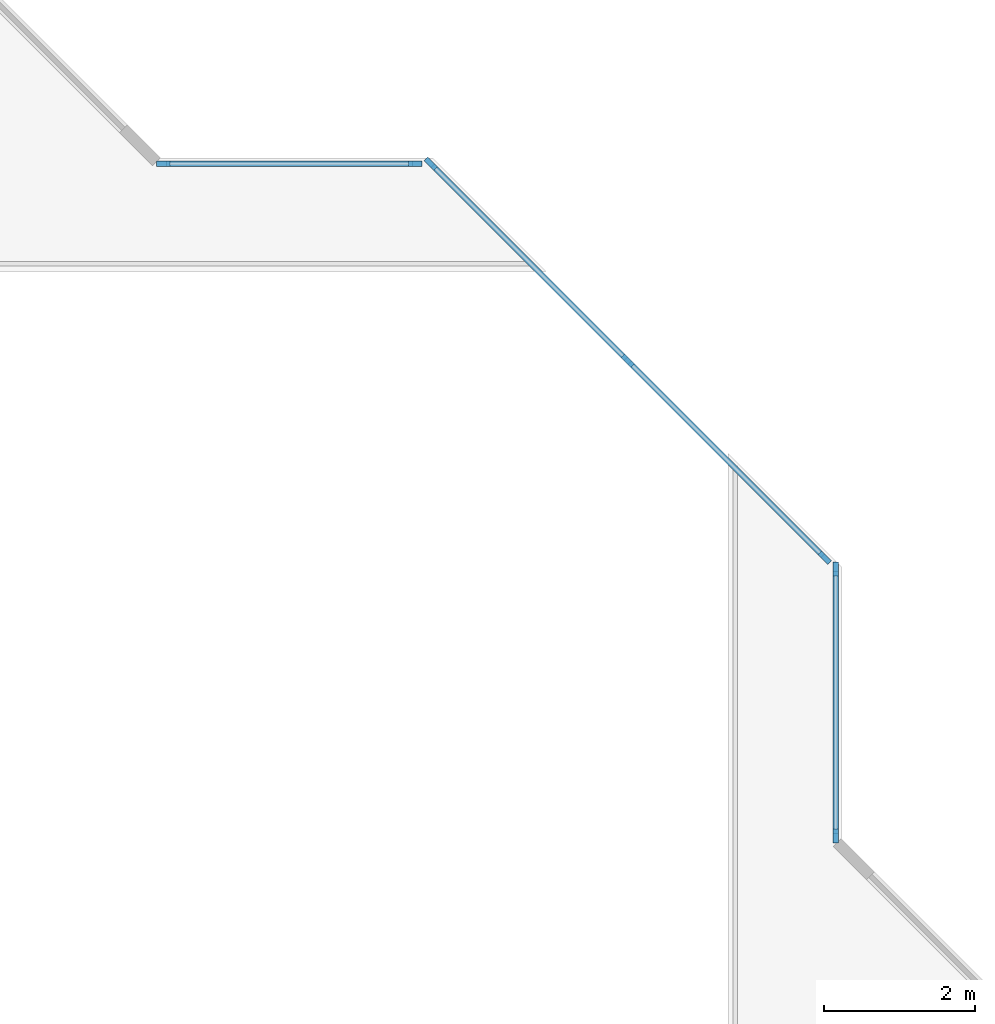
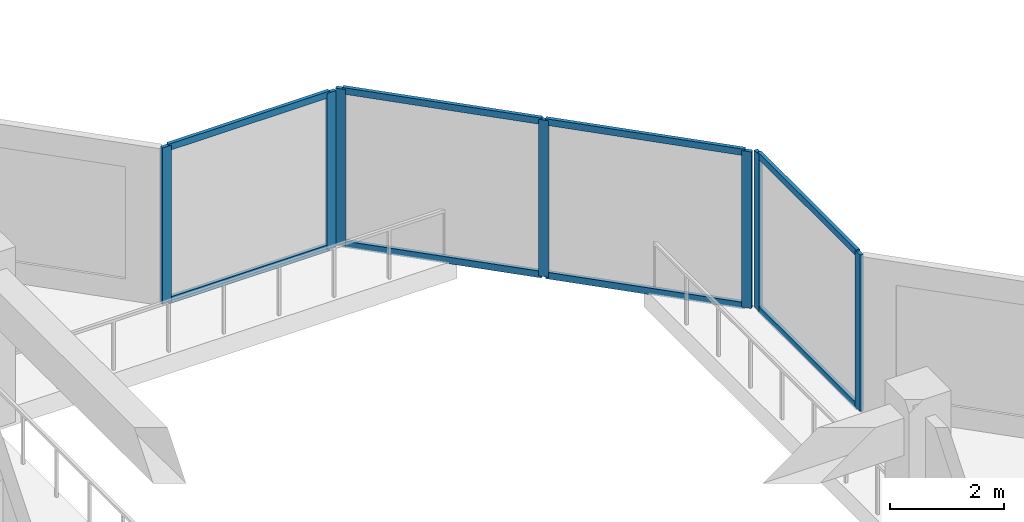
# One storey, part 2 of 15: 15 members, 3 elements without a shape of their own.
"""IFC4 building model written with IfcOpenShell, lengths in metres."""

from ifc_helpers import new_model, si_unit, direction, frame, origin, origin_2d, place, context, subcontext, project, spatial, rectangle, extrude, material, layer, layer_set, material_profile, profile_set, type_object, element, aggregate, save


model = new_model("IFC4")

# Units and contexts
model_context = context("Model", 3, precision=1e-05, world=origin(), true_north=direction((0.0, 1.0)))
body_context = subcontext(model_context, "Body", "Model", "MODEL_VIEW")
ifc_project = project(units=[si_unit("LENGTHUNIT", "METRE"), si_unit("AREAUNIT", "SQUARE_METRE"), si_unit("VOLUMEUNIT", "CUBIC_METRE"), si_unit("PLANEANGLEUNIT", "RADIAN"), si_unit("MASSUNIT", "GRAM", prefix="KILO")], contexts=[model_context])

# Site, building, storey
site_placement = place(None, origin())
site = spatial("IfcSite", under=ifc_project, at=site_placement, CompositionType="ELEMENT")
building_placement = place(site_placement, origin())
building = spatial("IfcBuilding", under=site, at=building_placement, Name="Chenar Terraces", CompositionType="ELEMENT")
storey_placement = place(building_placement, frame((0.0, 0.0, 215.39990234375)))
storey = spatial("IfcBuildingStorey", under=building, at=storey_placement, Name="L50", CompositionType="ELEMENT", Elevation=215.39990234375)

# Curtain wall, members
ifc_material_1 = material(Name="Aluminium framed glazing", Category="aluminium")
ifc_layer = layer(ifc_material_1, 0.14990234375)
ifc_layer_set = layer_set([ifc_layer], Name="Aluminium framed glazing")
curtain_wall_type = type_object("IfcCurtainWallType", Name="Atrium mid-zone curtain wall", PredefinedType="NOTDEFINED", material=ifc_layer_set)
placement = place(storey_placement, origin())
curtain_wall_1 = element("IfcCurtainWall", 1, at=placement, inside=storey, type_object=curtain_wall_type, Name="Atrium mid-zone curtain wall", PredefinedType="NOTDEFINED")
ifc_material_2 = material(Name="Aluminium", Category="aluminium")
ifc_material_profile_1 = material_profile(ifc_material_2, rectangle(XDim=0.070068359375, YDim=0.179931640625, at=origin_2d()), Name="Atrium mid-zone glazing mullion 70 x 180")
ifc_profile_set_1 = profile_set([ifc_material_profile_1], Name="Aluminium")
member_type_1 = type_object("IfcMemberType", Name="Atrium mid-zone glazing mullion 70 x 180", PredefinedType="MULLION", material=ifc_profile_set_1)
member_1_placement = place(storey_placement, frame((37.425048828125, 28.534912109375, 0.0), z_axis=(0.0, 0.0, 1.0), x_axis=(-1.0, 0.0, 0.0)))
member_1 = element("IfcMember", 2, at=member_1_placement, type_object=member_type_1, Name="CW7-1 mullion 1", PredefinedType="MULLION", context=body_context, shape_type="SweptSolid", body=[
    extrude(rectangle(XDim=0.070068359375, YDim=0.179931640625, at=origin_2d()), origin(), (0.0, 0.0, 1.0), 3.35009765625),
])
member_2_placement = place(storey_placement, frame((37.425048828125, 32.06494140625, 0.0), z_axis=(0.0, 0.0, 1.0), x_axis=(-1.0, 0.0, 0.0)))
member_2 = element("IfcMember", 3, at=member_2_placement, type_object=member_type_1, Name="CW7-1 mullion 2", PredefinedType="MULLION", context=body_context, shape_type="SweptSolid", body=[
    extrude(rectangle(XDim=0.070068359375, YDim=0.179931640625, at=origin_2d()), origin(), (0.0, 0.0, 1.0), 3.35009765625),
])

curtain_wall_2 = element("IfcCurtainWall", 4, at=placement, inside=storey, type_object=curtain_wall_type, Name="Atrium mid-zone curtain wall", PredefinedType="NOTDEFINED")
member_3_placement = place(storey_placement, frame((37.28076171875, 32.213134765625, 0.0), z_axis=(0.0, 0.0, 1.0), x_axis=(-0.707106781187, -0.707106781187, 0.0)))
member_3 = element("IfcMember", 5, at=member_3_placement, type_object=member_type_1, Name="CW7-2 mullion 1", PredefinedType="MULLION", context=body_context, shape_type="SweptSolid", body=[
    extrude(rectangle(XDim=0.070068359375, YDim=0.179931640625, at=origin_2d()), origin(), (0.0, 0.0, 1.0), 3.35009765625),
])
member_4_placement = place(storey_placement, frame((34.67626953125, 34.817626953125, 0.0), z_axis=(0.0, 0.0, 1.0), x_axis=(-0.707106781187, -0.707106781187, 0.0)))
member_4 = element("IfcMember", 6, at=member_4_placement, type_object=member_type_1, Name="CW7-2 mullion 2", PredefinedType="MULLION", context=body_context, shape_type="SweptSolid", body=[
    extrude(rectangle(XDim=0.070068359375, YDim=0.179931640625, at=origin_2d()), origin(), (0.0, 0.0, 1.0), 3.35009765625),
])
member_5_placement = place(storey_placement, frame((32.07177734375, 37.42236328125, 0.0), z_axis=(0.0, 0.0, 1.0), x_axis=(-0.707106781187, -0.707106781187, 0.0)))
member_5 = element("IfcMember", 7, at=member_5_placement, type_object=member_type_1, Name="CW7-2 mullion 3", PredefinedType="MULLION", context=body_context, shape_type="SweptSolid", body=[
    extrude(rectangle(XDim=0.070068359375, YDim=0.179931640625, at=origin_2d()), origin(), (0.0, 0.0, 1.0), 3.35009765625),
])

curtain_wall_3 = element("IfcCurtainWall", 8, at=placement, inside=storey, type_object=curtain_wall_type, Name="Atrium mid-zone curtain wall", PredefinedType="NOTDEFINED")
member_6_placement = place(storey_placement, frame((31.864990234375, 37.425048828125, 0.0), z_axis=(0.0, 0.0, 1.0), x_axis=(0.0, -1.0, 0.0)))
member_6 = element("IfcMember", 9, at=member_6_placement, type_object=member_type_1, Name="CW7-3 mullion 1", PredefinedType="MULLION", context=body_context, shape_type="SweptSolid", body=[
    extrude(rectangle(XDim=0.070068359375, YDim=0.179931640625, at=origin_2d()), origin(), (0.0, 0.0, 1.0), 3.35009765625),
])
member_7_placement = place(storey_placement, frame((28.534912109375, 37.425048828125, 0.0), z_axis=(0.0, 0.0, 1.0), x_axis=(0.0, -1.0, 0.0)))
member_7 = element("IfcMember", 10, at=member_7_placement, type_object=member_type_1, Name="CW7-3 mullion 2", PredefinedType="MULLION", context=body_context, shape_type="SweptSolid", body=[
    extrude(rectangle(XDim=0.070068359375, YDim=0.179931640625, at=origin_2d()), origin(), (0.0, 0.0, 1.0), 3.35009765625),
])

# Member
ifc_material_3 = material(Name="Aluminium", Category="aluminium")
ifc_material_profile_2 = material_profile(ifc_material_3, rectangle(XDim=0.070068359375, YDim=0.139892578125, at=origin_2d()), Name="Atrium mid-zone glazing transom 70 x 140")
ifc_profile_set_2 = profile_set([ifc_material_profile_2], Name="Aluminium")
member_type_2 = type_object("IfcMemberType", Name="Atrium mid-zone glazing transom 70 x 140", PredefinedType="USERDEFINED", material=ifc_profile_set_2)
member_8_placement = place(storey_placement, frame((37.425048828125, 28.570068359375, 0.03515625), z_axis=(0.0, 1.0, 0.0), x_axis=(-1.0, 0.0, 0.0)))
member_8 = element("IfcMember", 11, at=member_8_placement, type_object=member_type_2, Name="CW7-1 transom 1.1", ObjectType="TRANSOM", PredefinedType="USERDEFINED", context=body_context, shape_type="SweptSolid", body=[
    extrude(rectangle(XDim=0.070068359375, YDim=0.139892578125, at=origin_2d()), origin(), (0.0, 0.0, 1.0), 3.4599609375),
])

member_9_placement = place(storey_placement, frame((37.425048828125, 28.570068359375, 3.315185546875), z_axis=(0.0, 1.0, 0.0), x_axis=(-1.0, 0.0, 0.0)))
member_9 = element("IfcMember", 12, at=member_9_placement, type_object=member_type_2, Name="CW7-1 transom 1.2", ObjectType="TRANSOM", PredefinedType="USERDEFINED", context=body_context, shape_type="SweptSolid", body=[
    extrude(rectangle(XDim=0.070068359375, YDim=0.139892578125, at=origin_2d()), origin(), (0.0, 0.0, 1.0), 3.4599609375),
])

aggregate(curtain_wall_1, [member_1, member_2, member_8, member_9])

member_10_placement = place(storey_placement, frame((37.256103515625, 32.23779296875, 0.03515625), z_axis=(-0.707106781187, 0.707106781187, 0.0), x_axis=(-0.707106781187, -0.707106781187, 0.0)))
member_10 = element("IfcMember", 13, at=member_10_placement, type_object=member_type_2, Name="CW7-2 transom 1.1", ObjectType="TRANSOM", PredefinedType="USERDEFINED", context=body_context, shape_type="SweptSolid", body=[
    extrude(rectangle(XDim=0.070068359375, YDim=0.139892578125, at=origin_2d()), origin(), (0.0, 0.0, 1.0), 3.613525390625),
])

member_11_placement = place(storey_placement, frame((37.256103515625, 32.23779296875, 3.315185546875), z_axis=(-0.707106781187, 0.707106781187, 0.0), x_axis=(-0.707106781187, -0.707106781187, 0.0)))
member_11 = element("IfcMember", 14, at=member_11_placement, type_object=member_type_2, Name="CW7-2 transom 1.2", ObjectType="TRANSOM", PredefinedType="USERDEFINED", context=body_context, shape_type="SweptSolid", body=[
    extrude(rectangle(XDim=0.070068359375, YDim=0.139892578125, at=origin_2d()), origin(), (0.0, 0.0, 1.0), 3.613525390625),
])

member_12_placement = place(storey_placement, frame((34.651611328125, 34.842529296875, 0.03515625), z_axis=(-0.707140563131, 0.707072997628, 0.0), x_axis=(-0.707072997628, -0.707140563131, 0.0)))
member_12 = element("IfcMember", 15, at=member_12_placement, type_object=member_type_2, Name="CW7-2 transom 2.1", ObjectType="TRANSOM", PredefinedType="USERDEFINED", context=body_context, shape_type="SweptSolid", body=[
    extrude(rectangle(XDim=0.070068359375, YDim=0.139892578125, at=origin_2d()), origin(), (0.0, 0.0, 1.0), 3.61328125),
])

member_13_placement = place(storey_placement, frame((34.651611328125, 34.842529296875, 3.315185546875), z_axis=(-0.707140563131, 0.707072997628, 0.0), x_axis=(-0.707072997628, -0.707140563131, 0.0)))
member_13 = element("IfcMember", 16, at=member_13_placement, type_object=member_type_2, Name="CW7-2 transom 2.2", ObjectType="TRANSOM", PredefinedType="USERDEFINED", context=body_context, shape_type="SweptSolid", body=[
    extrude(rectangle(XDim=0.070068359375, YDim=0.139892578125, at=origin_2d()), origin(), (0.0, 0.0, 1.0), 3.61328125),
])

aggregate(curtain_wall_2, [member_3, member_4, member_5, member_10, member_11, member_12, member_13])

member_14_placement = place(storey_placement, frame((31.830078125, 37.425048828125, 0.03515625), z_axis=(-1.0, 0.0, 0.0), x_axis=(0.0, -1.0, 0.0)))
member_14 = element("IfcMember", 17, at=member_14_placement, type_object=member_type_2, Name="CW7-3 transom 1.1", ObjectType="TRANSOM", PredefinedType="USERDEFINED", context=body_context, shape_type="SweptSolid", body=[
    extrude(rectangle(XDim=0.070068359375, YDim=0.139892578125, at=origin_2d()), origin(), (0.0, 0.0, 1.0), 3.260009765625),
])

member_15_placement = place(storey_placement, frame((31.830078125, 37.425048828125, 3.315185546875), z_axis=(-1.0, 0.0, 0.0), x_axis=(0.0, -1.0, 0.0)))
member_15 = element("IfcMember", 18, at=member_15_placement, type_object=member_type_2, Name="CW7-3 transom 1.2", ObjectType="TRANSOM", PredefinedType="USERDEFINED", context=body_context, shape_type="SweptSolid", body=[
    extrude(rectangle(XDim=0.070068359375, YDim=0.139892578125, at=origin_2d()), origin(), (0.0, 0.0, 1.0), 3.260009765625),
])

aggregate(curtain_wall_3, [member_6, member_7, member_14, member_15])

save(model, "model.ifc")
